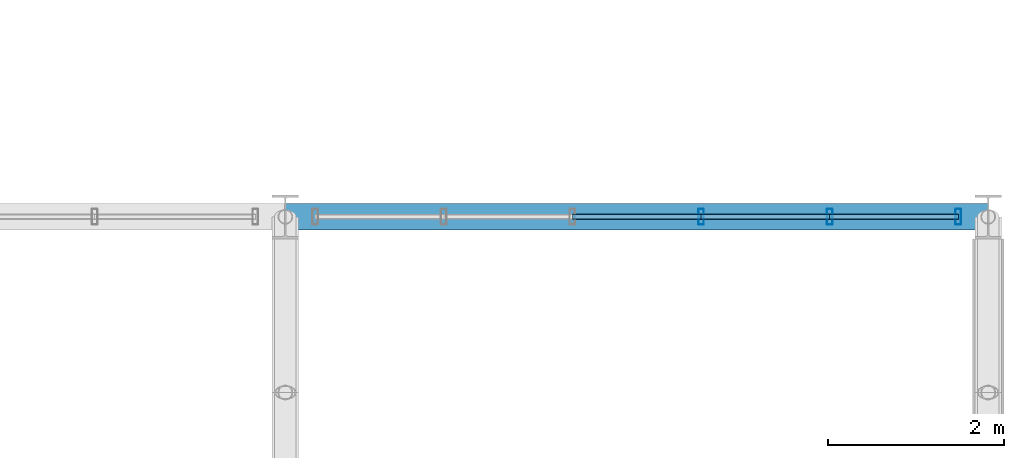
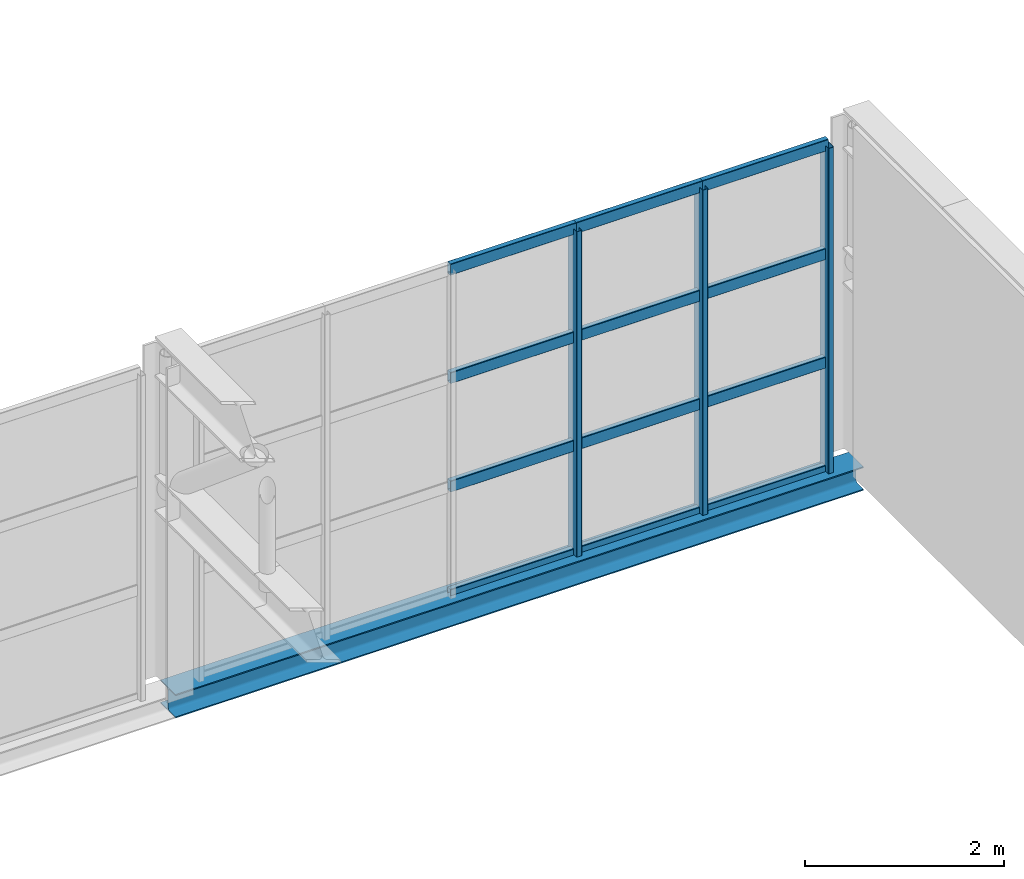
# One storey, part 40 of 67: 15 members, 1 beam, 1 element without a shape of its own.
"""IFC4 building model written with IfcOpenShell, lengths in metres."""

from ifc_helpers import new_model, si_unit, derived_unit, direction, frame, origin, origin_2d, place, context, subcontext, project, spatial, hollow_rectangle, i_section, extrude, material, material_profile, profile_set, type_object, element, aggregate, save


model = new_model("IFC4")

# Units and contexts
model_context = context("Model", 3, precision=1e-05, world=origin(), true_north=direction((0.0, 1.0)))
body_context = subcontext(model_context, "Body", "Model", "MODEL_VIEW")
ifc_project = project(units=[si_unit("LENGTHUNIT", "METRE"), si_unit("AREAUNIT", "SQUARE_METRE"), si_unit("VOLUMEUNIT", "CUBIC_METRE"), si_unit("PLANEANGLEUNIT", "RADIAN"), si_unit("MASSUNIT", "GRAM", prefix="KILO"), derived_unit("THERMALTRANSMITTANCEUNIT", [(si_unit("POWERUNIT", "WATT"), 1), (si_unit("LENGTHUNIT", "METRE"), -2), (si_unit("THERMODYNAMICTEMPERATUREUNIT", "KELVIN"), -1)])], contexts=[model_context])

# Site, building, storey
site_placement = place(None, origin())
site = spatial("IfcSite", under=ifc_project, at=site_placement, CompositionType="ELEMENT")
building_placement = place(site_placement, origin())
building = spatial("IfcBuilding", under=site, at=building_placement, Name="Keldorne Ridge Multi-Sports Centre", CompositionType="ELEMENT")
storey_placement = place(building_placement, frame((0.0, 0.0, 14.0)))
storey = spatial("IfcBuildingStorey", under=building, at=storey_placement, Name="L03", CompositionType="ELEMENT", Elevation=14.0)

# Beam
ifc_material_1 = material(Name="Steel S355", Category="steel")
ifc_material_profile_1 = material_profile(ifc_material_1, i_section(OverallWidth=0.300048828125, OverallDepth=0.2900390625, WebThickness=0.008544921875, FlangeThickness=0.013916015625, FilletRadius=0.027099609375, at=origin_2d()), Name="HEA 300")
ifc_profile_set_1 = profile_set([ifc_material_profile_1], Name="Steel S355")
beam_type = type_object("IfcBeamType", Name="BM-SP-04", PredefinedType="SPANDREL", material=ifc_profile_set_1)
beam_placement = place(storey_placement, frame((160.0, 54.0, -0.14990234375), z_axis=(1.0, 0.0, 0.0), x_axis=(0.0, 1.0, 0.0)))
element("IfcBeam", 1, at=beam_placement, inside=storey, type_object=beam_type, Name="Stacked Courts spandrel L03.54.8", PredefinedType="SPANDREL", context=body_context, shape_type="SweptSolid", body=[
    extrude(i_section(OverallWidth=0.300048828125, OverallDepth=0.2900390625, WebThickness=0.008544921875, FlangeThickness=0.013916015625, FilletRadius=0.027099609375, at=origin_2d()), origin(), (0.0, 0.0, 1.0), 8.0),
])

# Curtain wall, members
ifc_material_2 = material(Name="Anodized aluminium", Category="aluminium")
curtain_wall_type = type_object("IfcCurtainWallType", Name="CW-CW-02", PredefinedType="NOTDEFINED", material=ifc_material_2)
curtain_wall_placement = place(storey_placement, origin())
curtain_wall = element("IfcCurtainWall", 2, at=curtain_wall_placement, inside=storey, type_object=curtain_wall_type, Name="Upper Courts north clerestory 138", PredefinedType="NOTDEFINED")
ifc_material_profile_2 = material_profile(ifc_material_2, hollow_rectangle(XDim=0.06494140625, YDim=0.179931640625, WallThickness=0.00439453125, InnerFilletRadius=0.00439453125, OuterFilletRadius=0.009033203125, at=origin_2d()), Name="ALU MULLION 180x65x4.5")
ifc_profile_set_2 = profile_set([ifc_material_profile_2], Name="Anodized aluminium")
member_type_1 = type_object("IfcMemberType", Name="MEM-ML-01", PredefinedType="MULLION", material=ifc_profile_set_2)
member_1_placement = place(storey_placement, frame((167.659912109375, 54.0, 0.0), z_axis=(0.0, 0.0, 1.0), x_axis=(1.0, 0.0, 0.0)))
member_1 = element("IfcMember", 3, at=member_1_placement, type_object=member_type_1, Name="CW-138 vertical mullion 1", PredefinedType="MULLION", context=body_context, shape_type="SweptSolid", body=[
    extrude(hollow_rectangle(XDim=0.06494140625, YDim=0.179931640625, WallThickness=0.00439453125, InnerFilletRadius=0.00439453125, OuterFilletRadius=0.009033203125, at=origin_2d()), origin(), (0.0, 0.0, 1.0), 4.0),
])
member_2_placement = place(storey_placement, frame((166.196044921875, 54.0, 0.0), z_axis=(0.0, 0.0, 1.0), x_axis=(1.0, 0.0, 0.0)))
member_2 = element("IfcMember", 4, at=member_2_placement, type_object=member_type_1, Name="CW-138 vertical mullion 2", PredefinedType="MULLION", context=body_context, shape_type="SweptSolid", body=[
    extrude(hollow_rectangle(XDim=0.06494140625, YDim=0.179931640625, WallThickness=0.00439453125, InnerFilletRadius=0.00439453125, OuterFilletRadius=0.009033203125, at=origin_2d()), origin(), (0.0, 0.0, 1.0), 4.0),
])
member_3_placement = place(storey_placement, frame((164.73193359375, 54.0, 0.0), z_axis=(0.0, 0.0, 1.0), x_axis=(1.0, 0.0, 0.0)))
member_3 = element("IfcMember", 5, at=member_3_placement, type_object=member_type_1, Name="CW-138 vertical mullion 3", PredefinedType="MULLION", context=body_context, shape_type="SweptSolid", body=[
    extrude(hollow_rectangle(XDim=0.06494140625, YDim=0.179931640625, WallThickness=0.00439453125, InnerFilletRadius=0.00439453125, OuterFilletRadius=0.009033203125, at=origin_2d()), origin(), (0.0, 0.0, 1.0), 4.0),
])
ifc_material_profile_3 = material_profile(ifc_material_2, hollow_rectangle(XDim=0.06494140625, YDim=0.139892578125, WallThickness=0.00439453125, InnerFilletRadius=0.00439453125, OuterFilletRadius=0.009033203125, at=origin_2d()), Name="ALU TRANSOM 140x65x4.5")
ifc_profile_set_3 = profile_set([ifc_material_profile_3], Name="Anodized aluminium")
member_type_2 = type_object("IfcMemberType", Name="MEM-TR-01", PredefinedType="USERDEFINED", material=ifc_profile_set_3)
member_4_placement = place(storey_placement, frame((167.659912109375, 54.0, 0.0), z_axis=(-1.0, 0.0, 0.0), x_axis=(0.0, -1.0, 0.0)))
member_4 = element("IfcMember", 6, at=member_4_placement, type_object=member_type_2, Name="CW-138 transom 1.1", ObjectType="TRANSOM", PredefinedType="USERDEFINED", context=body_context, shape_type="SweptSolid", body=[
    extrude(hollow_rectangle(XDim=0.06494140625, YDim=0.139892578125, WallThickness=0.00439453125, InnerFilletRadius=0.00439453125, OuterFilletRadius=0.009033203125, at=origin_2d()), origin(), (0.0, 0.0, 1.0), 1.4638671875),
])
member_5_placement = place(storey_placement, frame((167.659912109375, 54.0, 1.333251953125), z_axis=(-1.0, 0.0, 0.0), x_axis=(0.0, -1.0, 0.0)))
member_5 = element("IfcMember", 7, at=member_5_placement, type_object=member_type_2, Name="CW-138 transom 1.2", ObjectType="TRANSOM", PredefinedType="USERDEFINED", context=body_context, shape_type="SweptSolid", body=[
    extrude(hollow_rectangle(XDim=0.06494140625, YDim=0.139892578125, WallThickness=0.00439453125, InnerFilletRadius=0.00439453125, OuterFilletRadius=0.009033203125, at=origin_2d()), origin(), (0.0, 0.0, 1.0), 1.4638671875),
])
member_6_placement = place(storey_placement, frame((167.659912109375, 54.0, 2.666748046875), z_axis=(-1.0, 0.0, 0.0), x_axis=(0.0, -1.0, 0.0)))
member_6 = element("IfcMember", 8, at=member_6_placement, type_object=member_type_2, Name="CW-138 transom 1.3", ObjectType="TRANSOM", PredefinedType="USERDEFINED", context=body_context, shape_type="SweptSolid", body=[
    extrude(hollow_rectangle(XDim=0.06494140625, YDim=0.139892578125, WallThickness=0.00439453125, InnerFilletRadius=0.00439453125, OuterFilletRadius=0.009033203125, at=origin_2d()), origin(), (0.0, 0.0, 1.0), 1.4638671875),
])
member_7_placement = place(storey_placement, frame((167.659912109375, 54.0, 4.0), z_axis=(-1.0, 0.0, 0.0), x_axis=(0.0, -1.0, 0.0)))
member_7 = element("IfcMember", 9, at=member_7_placement, type_object=member_type_2, Name="CW-138 transom 1.4", ObjectType="TRANSOM", PredefinedType="USERDEFINED", context=body_context, shape_type="SweptSolid", body=[
    extrude(hollow_rectangle(XDim=0.06494140625, YDim=0.139892578125, WallThickness=0.00439453125, InnerFilletRadius=0.00439453125, OuterFilletRadius=0.009033203125, at=origin_2d()), origin(), (0.0, 0.0, 1.0), 1.4638671875),
])
member_8_placement = place(storey_placement, frame((166.196044921875, 54.0, 0.0), z_axis=(-1.0, 0.0, 0.0), x_axis=(0.0, -1.0, 0.0)))
member_8 = element("IfcMember", 10, at=member_8_placement, type_object=member_type_2, Name="CW-138 transom 2.1", ObjectType="TRANSOM", PredefinedType="USERDEFINED", context=body_context, shape_type="SweptSolid", body=[
    extrude(hollow_rectangle(XDim=0.06494140625, YDim=0.139892578125, WallThickness=0.00439453125, InnerFilletRadius=0.00439453125, OuterFilletRadius=0.009033203125, at=origin_2d()), origin(), (0.0, 0.0, 1.0), 1.464111328125),
])
member_9_placement = place(storey_placement, frame((166.196044921875, 54.0, 1.333251953125), z_axis=(-1.0, 0.0, 0.0), x_axis=(0.0, -1.0, 0.0)))
member_9 = element("IfcMember", 11, at=member_9_placement, type_object=member_type_2, Name="CW-138 transom 2.2", ObjectType="TRANSOM", PredefinedType="USERDEFINED", context=body_context, shape_type="SweptSolid", body=[
    extrude(hollow_rectangle(XDim=0.06494140625, YDim=0.139892578125, WallThickness=0.00439453125, InnerFilletRadius=0.00439453125, OuterFilletRadius=0.009033203125, at=origin_2d()), origin(), (0.0, 0.0, 1.0), 1.464111328125),
])
member_10_placement = place(storey_placement, frame((166.196044921875, 54.0, 2.666748046875), z_axis=(-1.0, 0.0, 0.0), x_axis=(0.0, -1.0, 0.0)))
member_10 = element("IfcMember", 12, at=member_10_placement, type_object=member_type_2, Name="CW-138 transom 2.3", ObjectType="TRANSOM", PredefinedType="USERDEFINED", context=body_context, shape_type="SweptSolid", body=[
    extrude(hollow_rectangle(XDim=0.06494140625, YDim=0.139892578125, WallThickness=0.00439453125, InnerFilletRadius=0.00439453125, OuterFilletRadius=0.009033203125, at=origin_2d()), origin(), (0.0, 0.0, 1.0), 1.464111328125),
])
member_11_placement = place(storey_placement, frame((166.196044921875, 54.0, 4.0), z_axis=(-1.0, 0.0, 0.0), x_axis=(0.0, -1.0, 0.0)))
member_11 = element("IfcMember", 13, at=member_11_placement, type_object=member_type_2, Name="CW-138 transom 2.4", ObjectType="TRANSOM", PredefinedType="USERDEFINED", context=body_context, shape_type="SweptSolid", body=[
    extrude(hollow_rectangle(XDim=0.06494140625, YDim=0.139892578125, WallThickness=0.00439453125, InnerFilletRadius=0.00439453125, OuterFilletRadius=0.009033203125, at=origin_2d()), origin(), (0.0, 0.0, 1.0), 1.464111328125),
])
member_12_placement = place(storey_placement, frame((164.73193359375, 54.0, 0.0), z_axis=(-1.0, 0.0, 0.0), x_axis=(0.0, -1.0, 0.0)))
member_12 = element("IfcMember", 14, at=member_12_placement, type_object=member_type_2, Name="CW-138 transom 3.1", ObjectType="TRANSOM", PredefinedType="USERDEFINED", context=body_context, shape_type="SweptSolid", body=[
    extrude(hollow_rectangle(XDim=0.06494140625, YDim=0.139892578125, WallThickness=0.00439453125, InnerFilletRadius=0.00439453125, OuterFilletRadius=0.009033203125, at=origin_2d()), origin(), (0.0, 0.0, 1.0), 1.4638671875),
])
member_13_placement = place(storey_placement, frame((164.73193359375, 54.0, 1.333251953125), z_axis=(-1.0, 0.0, 0.0), x_axis=(0.0, -1.0, 0.0)))
member_13 = element("IfcMember", 15, at=member_13_placement, type_object=member_type_2, Name="CW-138 transom 3.2", ObjectType="TRANSOM", PredefinedType="USERDEFINED", context=body_context, shape_type="SweptSolid", body=[
    extrude(hollow_rectangle(XDim=0.06494140625, YDim=0.139892578125, WallThickness=0.00439453125, InnerFilletRadius=0.00439453125, OuterFilletRadius=0.009033203125, at=origin_2d()), origin(), (0.0, 0.0, 1.0), 1.4638671875),
])
member_14_placement = place(storey_placement, frame((164.73193359375, 54.0, 2.666748046875), z_axis=(-1.0, 0.0, 0.0), x_axis=(0.0, -1.0, 0.0)))
member_14 = element("IfcMember", 16, at=member_14_placement, type_object=member_type_2, Name="CW-138 transom 3.3", ObjectType="TRANSOM", PredefinedType="USERDEFINED", context=body_context, shape_type="SweptSolid", body=[
    extrude(hollow_rectangle(XDim=0.06494140625, YDim=0.139892578125, WallThickness=0.00439453125, InnerFilletRadius=0.00439453125, OuterFilletRadius=0.009033203125, at=origin_2d()), origin(), (0.0, 0.0, 1.0), 1.4638671875),
])
member_15_placement = place(storey_placement, frame((164.73193359375, 54.0, 4.0), z_axis=(-1.0, 0.0, 0.0), x_axis=(0.0, -1.0, 0.0)))
member_15 = element("IfcMember", 17, at=member_15_placement, type_object=member_type_2, Name="CW-138 transom 3.4", ObjectType="TRANSOM", PredefinedType="USERDEFINED", context=body_context, shape_type="SweptSolid", body=[
    extrude(hollow_rectangle(XDim=0.06494140625, YDim=0.139892578125, WallThickness=0.00439453125, InnerFilletRadius=0.00439453125, OuterFilletRadius=0.009033203125, at=origin_2d()), origin(), (0.0, 0.0, 1.0), 1.4638671875),
])
aggregate(curtain_wall, [member_1, member_2, member_3, member_4, member_5, member_6, member_7, member_8, member_9, member_10, member_11, member_12, member_13, member_14, member_15])

save(model, "model.ifc")
